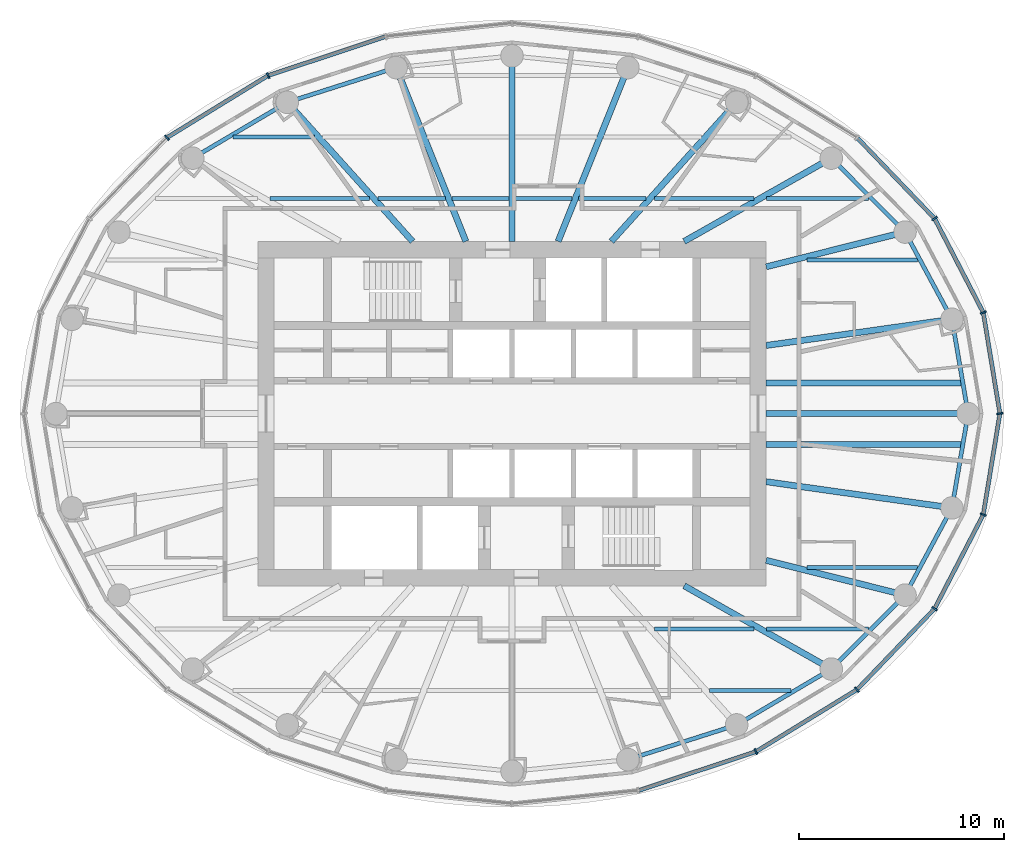
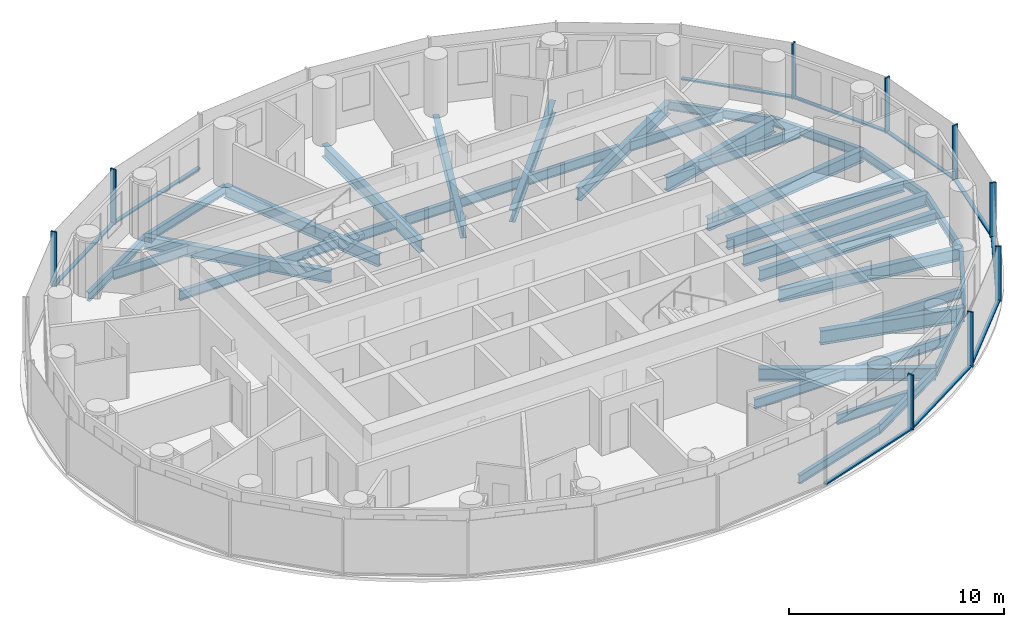
# One storey, part 3 of 13: 37 beams, 19 members, 3 elements without a shape of their own.
"""IFC4 building model written with IfcOpenShell, lengths in metres."""

from ifc_helpers import new_model, si_unit, direction, frame, origin, origin_2d, place, context, subcontext, project, spatial, rectangle, i_section, extrude, material, material_profile, profile_set, type_object, element, aggregate, save


model = new_model("IFC4")

# Units and contexts
model_context = context("Model", 3, precision=1e-05, world=origin(), true_north=direction((0.0, 1.0)))
body_context = subcontext(model_context, "Body", "Model", "MODEL_VIEW")
ifc_project = project(units=[si_unit("LENGTHUNIT", "METRE"), si_unit("AREAUNIT", "SQUARE_METRE"), si_unit("VOLUMEUNIT", "CUBIC_METRE"), si_unit("PLANEANGLEUNIT", "RADIAN"), si_unit("MASSUNIT", "GRAM", prefix="KILO")], contexts=[model_context])

# Site, building, storey
site_placement = place(None, origin())
site = spatial("IfcSite", under=ifc_project, at=site_placement, CompositionType="ELEMENT")
building_placement = place(site_placement, origin())
building = spatial("IfcBuilding", under=site, at=building_placement, Name="Hankou Lantern Tower", CompositionType="ELEMENT")
storey_placement = place(building_placement, frame((0.0, 0.0, 159.89990234375)))
storey = spatial("IfcBuildingStorey", under=building, at=storey_placement, Name="L42", CompositionType="ELEMENT", Elevation=159.89990234375)

# Beams
ifc_material_1 = material(Name="Steel Q355B", Category="steel")
ifc_material_profile_1 = material_profile(ifc_material_1, i_section(OverallWidth=0.199951171875, OverallDepth=0.5, WebThickness=0.010009765625, FlangeThickness=0.01611328125, FilletRadius=0.012939453125, at=origin_2d()), Name="HN500x200x10x16")
ifc_profile_set_1 = profile_set([ifc_material_profile_1], Name="Steel Q355B")
beam_type_1 = type_object("IfcBeamType", Name="EB5 RING BEAM HN500x200x10x16", PredefinedType="SPANDREL", material=ifc_profile_set_1)
beam_1_placement = place(storey_placement, frame((22.25, 0.0, -0.429931640625), z_axis=(-0.168680718946, 0.985670743735, 0.0), x_axis=(-0.985670743735, -0.168680718946, 0.0)))
element("IfcBeam", 1, at=beam_1_placement, inside=storey, type_object=beam_type_1, Name="Ring beam R01-R02 L42", PredefinedType="SPANDREL", context=body_context, shape_type="SweptSolid", body=[
    extrude(i_section(OverallWidth=0.199951171875, OverallDepth=0.5, WebThickness=0.010009765625, FlangeThickness=0.01611328125, FilletRadius=0.012939453125, at=origin_2d()), origin(), (0.0, 0.0, 1.0), 4.667724609375),
])
beam_2_placement = place(storey_placement, frame((21.462646484375, 4.600830078125, -0.429931640625), z_axis=(-0.474051612334, 0.880497057828, 0.0), x_axis=(-0.880497057828, -0.474051612334, 0.0)))
element("IfcBeam", 2, at=beam_2_placement, inside=storey, type_object=beam_type_1, Name="Ring beam R02-R03 L42", PredefinedType="SPANDREL", context=body_context, shape_type="SweptSolid", body=[
    extrude(i_section(OverallWidth=0.199951171875, OverallDepth=0.5, WebThickness=0.010009765625, FlangeThickness=0.01611328125, FilletRadius=0.012939453125, at=origin_2d()), origin(), (0.0, 0.0, 1.0), 4.831787109375),
])
beam_3_placement = place(storey_placement, frame((19.172119140625, 8.855224609375, -0.429931640625), z_axis=(-0.706147278092, 0.708064984054, 0.0), x_axis=(-0.708064984054, -0.706147278092, 0.0)))
element("IfcBeam", 3, at=beam_3_placement, inside=storey, type_object=beam_type_1, Name="Ring beam R03-R04 L42", PredefinedType="SPANDREL", context=body_context, shape_type="SweptSolid", body=[
    extrude(i_section(OverallWidth=0.199951171875, OverallDepth=0.5, WebThickness=0.010009765625, FlangeThickness=0.01611328125, FilletRadius=0.012939453125, at=origin_2d()), origin(), (0.0, 0.0, 1.0), 5.09228515625),
])
beam_4_placement = place(storey_placement, frame((-5.65283203125, 16.87744140625, -0.429931640625), z_axis=(-0.952790404271, -0.30362879562, 0.0), x_axis=(0.30362879562, -0.952790404271, 0.0)))
element("IfcBeam", 4, at=beam_4_placement, inside=storey, type_object=beam_type_1, Name="Ring beam R08-R09 L42", PredefinedType="SPANDREL", context=body_context, shape_type="SweptSolid", body=[
    extrude(i_section(OverallWidth=0.199951171875, OverallDepth=0.5, WebThickness=0.010009765625, FlangeThickness=0.01611328125, FilletRadius=0.012939453125, at=origin_2d()), origin(), (0.0, 0.0, 1.0), 5.56982421875),
])
beam_5_placement = place(storey_placement, frame((-10.959716796875, 15.186279296875, -0.429931640625), z_axis=(-0.861135888339, -0.508374843806, 0.0), x_axis=(0.508374843806, -0.861135888339, 0.0)))
element("IfcBeam", 5, at=beam_5_placement, inside=storey, type_object=beam_type_1, Name="Ring beam R09-R10 L42", PredefinedType="SPANDREL", context=body_context, shape_type="SweptSolid", body=[
    extrude(i_section(OverallWidth=0.199951171875, OverallDepth=0.5, WebThickness=0.010009765625, FlangeThickness=0.01611328125, FilletRadius=0.012939453125, at=origin_2d()), origin(), (0.0, 0.0, 1.0), 5.36083984375),
])
beam_6_placement = place(storey_placement, frame((5.65283203125, -16.87744140625, -0.429931640625), z_axis=(0.952790404271, 0.30362879562, 0.0), x_axis=(-0.30362879562, 0.952790404271, 0.0)))
element("IfcBeam", 6, at=beam_6_placement, inside=storey, type_object=beam_type_1, Name="Ring beam R20-R21 L42", PredefinedType="SPANDREL", context=body_context, shape_type="SweptSolid", body=[
    extrude(i_section(OverallWidth=0.199951171875, OverallDepth=0.5, WebThickness=0.010009765625, FlangeThickness=0.01611328125, FilletRadius=0.012939453125, at=origin_2d()), origin(), (0.0, 0.0, 1.0), 5.56982421875),
])
beam_7_placement = place(storey_placement, frame((10.959716796875, -15.186279296875, -0.429931640625), z_axis=(0.861135888339, 0.508374843806, 0.0), x_axis=(-0.508374843806, 0.861135888339, 0.0)))
element("IfcBeam", 7, at=beam_7_placement, inside=storey, type_object=beam_type_1, Name="Ring beam R21-R22 L42", PredefinedType="SPANDREL", context=body_context, shape_type="SweptSolid", body=[
    extrude(i_section(OverallWidth=0.199951171875, OverallDepth=0.5, WebThickness=0.010009765625, FlangeThickness=0.01611328125, FilletRadius=0.012939453125, at=origin_2d()), origin(), (0.0, 0.0, 1.0), 5.36083984375),
])
beam_8_placement = place(storey_placement, frame((15.576171875, -12.4609375, -0.429931640625), z_axis=(0.706147278092, 0.708064984054, 0.0), x_axis=(-0.708064984054, 0.706147278092, 0.0)))
element("IfcBeam", 8, at=beam_8_placement, inside=storey, type_object=beam_type_1, Name="Ring beam R22-R23 L42", PredefinedType="SPANDREL", context=body_context, shape_type="SweptSolid", body=[
    extrude(i_section(OverallWidth=0.199951171875, OverallDepth=0.5, WebThickness=0.010009765625, FlangeThickness=0.01611328125, FilletRadius=0.012939453125, at=origin_2d()), origin(), (0.0, 0.0, 1.0), 5.09228515625),
])
beam_9_placement = place(storey_placement, frame((19.172119140625, -8.855224609375, -0.429931640625), z_axis=(0.474051612334, 0.880497057828, 0.0), x_axis=(-0.880497057828, 0.474051612334, 0.0)))
element("IfcBeam", 9, at=beam_9_placement, inside=storey, type_object=beam_type_1, Name="Ring beam R23-R24 L42", PredefinedType="SPANDREL", context=body_context, shape_type="SweptSolid", body=[
    extrude(i_section(OverallWidth=0.199951171875, OverallDepth=0.5, WebThickness=0.010009765625, FlangeThickness=0.01611328125, FilletRadius=0.012939453125, at=origin_2d()), origin(), (0.0, 0.0, 1.0), 4.831787109375),
])
beam_10_placement = place(storey_placement, frame((21.462646484375, -4.600830078125, -0.429931640625), z_axis=(0.168680718946, 0.985670743735, 0.0), x_axis=(-0.985670743735, 0.168680718946, 0.0)))
element("IfcBeam", 10, at=beam_10_placement, inside=storey, type_object=beam_type_1, Name="Ring beam R24-R01 L42", PredefinedType="SPANDREL", context=body_context, shape_type="SweptSolid", body=[
    extrude(i_section(OverallWidth=0.199951171875, OverallDepth=0.5, WebThickness=0.010009765625, FlangeThickness=0.01611328125, FilletRadius=0.012939453125, at=origin_2d()), origin(), (0.0, 0.0, 1.0), 4.667724609375),
])

# Curtain wall, members
ifc_material_2 = material(Name="Glass, dark grey tinted laminated", Category="glass")
curtain_wall_type = type_object("IfcCurtainWallType", Name="CWC OUTER SKIN HIGH-RISE", PredefinedType="USERDEFINED", material=ifc_material_2)
curtain_wall_1_placement = place(storey_placement, origin())
curtain_wall_1 = element("IfcCurtainWall", 11, at=curtain_wall_1_placement, inside=storey, type_object=curtain_wall_type, Name="CWC L42 OS1", ObjectType="OUTER SKIN HIGH-RISE", PredefinedType="USERDEFINED")
ifc_material_3 = material(Name="Aluminium, black anodised", Category="aluminium")
ifc_material_profile_2 = material_profile(ifc_material_3, rectangle(XDim=0.080078125, YDim=0.300048828125, at=origin_2d()), Name="MU1 80X300")
ifc_profile_set_2 = profile_set([ifc_material_profile_2], Name="Aluminium, black anodised")
member_type_1 = type_object("IfcMemberType", Name="MU1 OUTER SKIN MULLION 80X300", PredefinedType="MULLION", material=ifc_profile_set_2)
member_1_placement = place(storey_placement, frame((23.800048828125, 0.0, 0.0), z_axis=(0.0, 0.0, 1.0), x_axis=(-0.162381515188, 0.986728049427, 0.0)))
member_1 = element("IfcMember", 12, at=member_1_placement, type_object=member_type_1, Name="CWC mullion 1", PredefinedType="MULLION", context=body_context, shape_type="SweptSolid", body=[
    extrude(rectangle(XDim=0.080078125, YDim=0.300048828125, at=origin_2d()), origin(), (0.0, 0.0, 1.0), 3.1201171875),
])
member_2_placement = place(storey_placement, frame((22.989013671875, 4.927978515625, 0.0), z_axis=(0.0, 0.0, 1.0), x_axis=(-0.317595577365, 0.94822626479, 0.0)))
member_2 = element("IfcMember", 13, at=member_2_placement, type_object=member_type_1, Name="CWC mullion 2", PredefinedType="MULLION", context=body_context, shape_type="SweptSolid", body=[
    extrude(rectangle(XDim=0.080078125, YDim=0.300048828125, at=origin_2d()), origin(), (0.0, 0.0, 1.0), 3.1201171875),
])
member_3_placement = place(storey_placement, frame((20.611328125, 9.52001953125, 0.0), z_axis=(0.0, 0.0, 1.0), x_axis=(-0.585205735974, 0.810884854084, 0.0)))
member_3 = element("IfcMember", 14, at=member_3_placement, type_object=member_type_1, Name="CWC mullion 3", PredefinedType="MULLION", context=body_context, shape_type="SweptSolid", body=[
    extrude(rectangle(XDim=0.080078125, YDim=0.300048828125, at=origin_2d()), origin(), (0.0, 0.0, 1.0), 3.1201171875),
])

curtain_wall_2_placement = place(storey_placement, origin())
curtain_wall_2 = element("IfcCurtainWall", 15, at=curtain_wall_2_placement, inside=storey, type_object=curtain_wall_type, Name="CWC L42 OS2", ObjectType="OUTER SKIN HIGH-RISE", PredefinedType="USERDEFINED")
member_4_placement = place(storey_placement, frame((-11.89990234375, 16.489013671875, 0.0), z_axis=(0.0, 0.0, 1.0), x_axis=(-0.907841299004, -0.419313934686, 0.0)))
member_4 = element("IfcMember", 16, at=member_4_placement, type_object=member_type_1, Name="CWC mullion 3", PredefinedType="MULLION", context=body_context, shape_type="SweptSolid", body=[
    extrude(rectangle(XDim=0.080078125, YDim=0.300048828125, at=origin_2d()), origin(), (0.0, 0.0, 1.0), 3.1201171875),
])
member_5_placement = place(storey_placement, frame((-16.8291015625, 13.46337890625, 0.0), z_axis=(0.0, 0.0, 1.0), x_axis=(-0.780868809444, -0.624695047553, 0.0)))
member_5 = element("IfcMember", 17, at=member_5_placement, type_object=member_type_1, Name="CWC mullion 4", PredefinedType="MULLION", context=body_context, shape_type="SweptSolid", body=[
    extrude(rectangle(XDim=0.080078125, YDim=0.300048828125, at=origin_2d()), origin(), (0.0, 0.0, 1.0), 3.1201171875),
])

curtain_wall_3_placement = place(storey_placement, origin())
curtain_wall_3 = element("IfcCurtainWall", 18, at=curtain_wall_3_placement, inside=storey, type_object=curtain_wall_type, Name="CWC L42 OS4", ObjectType="OUTER SKIN HIGH-RISE", PredefinedType="USERDEFINED")
member_6_placement = place(storey_placement, frame((11.89990234375, -16.489013671875, 0.0), z_axis=(0.0, 0.0, 1.0), x_axis=(0.907841299004, 0.419313934686, 0.0)))
member_6 = element("IfcMember", 19, at=member_6_placement, type_object=member_type_1, Name="CWC mullion 3", PredefinedType="MULLION", context=body_context, shape_type="SweptSolid", body=[
    extrude(rectangle(XDim=0.080078125, YDim=0.300048828125, at=origin_2d()), origin(), (0.0, 0.0, 1.0), 3.1201171875),
])
member_7_placement = place(storey_placement, frame((16.8291015625, -13.46337890625, 0.0), z_axis=(0.0, 0.0, 1.0), x_axis=(0.780868809444, 0.624695047553, 0.0)))
member_7 = element("IfcMember", 20, at=member_7_placement, type_object=member_type_1, Name="CWC mullion 4", PredefinedType="MULLION", context=body_context, shape_type="SweptSolid", body=[
    extrude(rectangle(XDim=0.080078125, YDim=0.300048828125, at=origin_2d()), origin(), (0.0, 0.0, 1.0), 3.1201171875),
])
member_8_placement = place(storey_placement, frame((20.611328125, -9.52001953125, 0.0), z_axis=(0.0, 0.0, 1.0), x_axis=(0.585205735974, 0.810884854084, 0.0)))
member_8 = element("IfcMember", 21, at=member_8_placement, type_object=member_type_1, Name="CWC mullion 5", PredefinedType="MULLION", context=body_context, shape_type="SweptSolid", body=[
    extrude(rectangle(XDim=0.080078125, YDim=0.300048828125, at=origin_2d()), origin(), (0.0, 0.0, 1.0), 3.1201171875),
])
member_9_placement = place(storey_placement, frame((22.989013671875, -4.927978515625, 0.0), z_axis=(0.0, 0.0, 1.0), x_axis=(0.317595577365, 0.94822626479, 0.0)))
member_9 = element("IfcMember", 22, at=member_9_placement, type_object=member_type_1, Name="CWC mullion 6", PredefinedType="MULLION", context=body_context, shape_type="SweptSolid", body=[
    extrude(rectangle(XDim=0.080078125, YDim=0.300048828125, at=origin_2d()), origin(), (0.0, 0.0, 1.0), 3.1201171875),
])

# Beams
ifc_material_4 = material(Name="Steel Q355B", Category="steel")
ifc_material_profile_3 = material_profile(ifc_material_4, i_section(OverallWidth=0.300048828125, OverallDepth=0.800048828125, WebThickness=0.013916015625, FlangeThickness=0.02587890625, FilletRadius=0.01806640625, at=origin_2d()), Name="HN800x300x14x26")
ifc_profile_set_3 = profile_set([ifc_material_profile_3], Name="Steel Q355B")
beam_type_2 = type_object("IfcBeamType", Name="RB11 RADIAL BEAM HN800x300x14x26", PredefinedType="BEAM", material=ifc_profile_set_3)
for number, where, z_axis, x_axis, name in (
    (23, (12.39990234375, 7.1591796875, -0.579833984375), (0.970041619568, 0.242938791274, 0.0), (-0.242938791274, 0.970041619568, 0.0), "Radial beam R03 L42"),
    (24, (12.39990234375, -7.1591796875, -0.579833984375), (0.970041619568, -0.242938791274, 0.0), (0.242938791274, 0.970041619568, 0.0), "Radial beam R23 L42"),
):
    element("IfcBeam", number, at=place(storey_placement, frame(where, z_axis=z_axis, x_axis=x_axis)), inside=storey, type_object=beam_type_2, Name=name, PredefinedType="BEAM", context=body_context, shape_type="SweptSolid", body=[
        extrude(i_section(OverallWidth=0.300048828125, OverallDepth=0.800048828125, WebThickness=0.013916015625, FlangeThickness=0.02587890625, FilletRadius=0.01806640625, at=origin_2d()), origin(), (0.0, 0.0, 1.0), 6.9814453125),
    ])
ifc_material_5 = material(Name="Steel Q355B", Category="steel")
ifc_material_profile_4 = material_profile(ifc_material_5, i_section(OverallWidth=0.300048828125, OverallDepth=0.699951171875, WebThickness=0.012939453125, FlangeThickness=0.02392578125, FilletRadius=0.01806640625, at=origin_2d()), Name="HN700x300x13x24")
ifc_profile_set_4 = profile_set([ifc_material_profile_4], Name="Steel Q355B")
beam_type_3 = type_object("IfcBeamType", Name="RB9 RADIAL BEAM HN700x300x13x24", PredefinedType="BEAM", material=ifc_profile_set_4)
beam_11_placement = place(storey_placement, frame((12.39990234375, 0.0, -0.52978515625), z_axis=(1.0, 0.0, 0.0), x_axis=(0.0, 1.0, 0.0)))
element("IfcBeam", 25, at=beam_11_placement, inside=storey, type_object=beam_type_3, Name="Radial beam R01 L42", PredefinedType="BEAM", context=body_context, shape_type="SweptSolid", body=[
    extrude(i_section(OverallWidth=0.300048828125, OverallDepth=0.699951171875, WebThickness=0.012939453125, FlangeThickness=0.02392578125, FilletRadius=0.01806640625, at=origin_2d()), origin(), (0.0, 0.0, 1.0), 9.85009765625),
])
beam_12_placement = place(storey_placement, frame((12.39990234375, 3.322509765625, -0.52978515625), z_axis=(0.990198154617, 0.13966966239, 0.0), x_axis=(-0.13966966239, 0.990198154617, 0.0)))
element("IfcBeam", 26, at=beam_12_placement, inside=storey, type_object=beam_type_3, Name="Radial beam R02 L42", PredefinedType="BEAM", context=body_context, shape_type="SweptSolid", body=[
    extrude(i_section(OverallWidth=0.300048828125, OverallDepth=0.699951171875, WebThickness=0.012939453125, FlangeThickness=0.02392578125, FilletRadius=0.01806640625, at=origin_2d()), origin(), (0.0, 0.0, 1.0), 9.15234375),
])
beam_13_placement = place(storey_placement, frame((8.39990234375, 8.39990234375, -0.52978515625), z_axis=(0.870309058024, 0.492505983234, 0.0), x_axis=(-0.492505983234, 0.870309058024, 0.0)))
element("IfcBeam", 27, at=beam_13_placement, inside=storey, type_object=beam_type_3, Name="Radial beam R04 L42", PredefinedType="BEAM", context=body_context, shape_type="SweptSolid", body=[
    extrude(i_section(OverallWidth=0.300048828125, OverallDepth=0.699951171875, WebThickness=0.012939453125, FlangeThickness=0.02392578125, FilletRadius=0.01806640625, at=origin_2d()), origin(), (0.0, 0.0, 1.0), 8.24560546875),
])
beam_14_placement = place(storey_placement, frame((4.849853515625, 8.39990234375, -0.52978515625), z_axis=(0.669093231314, 0.743178476418, 0.0), x_axis=(-0.743178476418, 0.669093231314, 0.0)))
element("IfcBeam", 28, at=beam_14_placement, inside=storey, type_object=beam_type_3, Name="Radial beam R05 L42", PredefinedType="BEAM", context=body_context, shape_type="SweptSolid", body=[
    extrude(i_section(OverallWidth=0.300048828125, OverallDepth=0.699951171875, WebThickness=0.012939453125, FlangeThickness=0.02392578125, FilletRadius=0.01806640625, at=origin_2d()), origin(), (0.0, 0.0, 1.0), 9.131591796875),
])
beam_15_placement = place(storey_placement, frame((2.250732421875, 8.39990234375, -0.52978515625), z_axis=(0.372436468133, 0.928057690666, 0.0), x_axis=(-0.928057690666, 0.372436468133, 0.0)))
element("IfcBeam", 29, at=beam_15_placement, inside=storey, type_object=beam_type_3, Name="Radial beam R06 L42", PredefinedType="BEAM", context=body_context, shape_type="SweptSolid", body=[
    extrude(i_section(OverallWidth=0.300048828125, OverallDepth=0.699951171875, WebThickness=0.012939453125, FlangeThickness=0.02392578125, FilletRadius=0.01806640625, at=origin_2d()), origin(), (0.0, 0.0, 1.0), 9.134765625),
])
beam_16_placement = place(storey_placement, frame((0.0, 8.39990234375, -0.52978515625), z_axis=(0.0, 1.0, 0.0), x_axis=(-1.0, 0.0, 0.0)))
element("IfcBeam", 30, at=beam_16_placement, inside=storey, type_object=beam_type_3, Name="Radial beam R07 L42", PredefinedType="BEAM", context=body_context, shape_type="SweptSolid", body=[
    extrude(i_section(OverallWidth=0.300048828125, OverallDepth=0.699951171875, WebThickness=0.012939453125, FlangeThickness=0.02392578125, FilletRadius=0.01806640625, at=origin_2d()), origin(), (0.0, 0.0, 1.0), 9.050048828125),
])
beam_17_placement = place(storey_placement, frame((-2.250732421875, 8.39990234375, -0.52978515625), z_axis=(-0.372436468133, 0.928057690666, 0.0), x_axis=(-0.928057690666, -0.372436468133, 0.0)))
element("IfcBeam", 31, at=beam_17_placement, inside=storey, type_object=beam_type_3, Name="Radial beam R08 L42", PredefinedType="BEAM", context=body_context, shape_type="SweptSolid", body=[
    extrude(i_section(OverallWidth=0.300048828125, OverallDepth=0.699951171875, WebThickness=0.012939453125, FlangeThickness=0.02392578125, FilletRadius=0.01806640625, at=origin_2d()), origin(), (0.0, 0.0, 1.0), 9.134765625),
])
beam_18_placement = place(storey_placement, frame((-4.849853515625, 8.39990234375, -0.52978515625), z_axis=(-0.669093231314, 0.743178476418, 0.0), x_axis=(-0.743178476418, -0.669093231314, 0.0)))
element("IfcBeam", 32, at=beam_18_placement, inside=storey, type_object=beam_type_3, Name="Radial beam R09 L42", PredefinedType="BEAM", context=body_context, shape_type="SweptSolid", body=[
    extrude(i_section(OverallWidth=0.300048828125, OverallDepth=0.699951171875, WebThickness=0.012939453125, FlangeThickness=0.02392578125, FilletRadius=0.01806640625, at=origin_2d()), origin(), (0.0, 0.0, 1.0), 9.131591796875),
])
beam_19_placement = place(storey_placement, frame((8.39990234375, -8.39990234375, -0.52978515625), z_axis=(0.870309058024, -0.492505983234, 0.0), x_axis=(0.492505983234, 0.870309058024, 0.0)))
element("IfcBeam", 33, at=beam_19_placement, inside=storey, type_object=beam_type_3, Name="Radial beam R22 L42", PredefinedType="BEAM", context=body_context, shape_type="SweptSolid", body=[
    extrude(i_section(OverallWidth=0.300048828125, OverallDepth=0.699951171875, WebThickness=0.012939453125, FlangeThickness=0.02392578125, FilletRadius=0.01806640625, at=origin_2d()), origin(), (0.0, 0.0, 1.0), 8.24560546875),
])
beam_20_placement = place(storey_placement, frame((12.39990234375, -3.322509765625, -0.52978515625), z_axis=(0.990198154617, -0.13966966239, 0.0), x_axis=(0.13966966239, 0.990198154617, 0.0)))
element("IfcBeam", 34, at=beam_20_placement, inside=storey, type_object=beam_type_3, Name="Radial beam R24 L42", PredefinedType="BEAM", context=body_context, shape_type="SweptSolid", body=[
    extrude(i_section(OverallWidth=0.300048828125, OverallDepth=0.699951171875, WebThickness=0.012939453125, FlangeThickness=0.02392578125, FilletRadius=0.01806640625, at=origin_2d()), origin(), (0.0, 0.0, 1.0), 9.15234375),
])
ifc_material_6 = material(Name="Steel Q355B", Category="steel")
ifc_material_profile_5 = material_profile(ifc_material_6, i_section(OverallWidth=0.199951171875, OverallDepth=0.550048828125, WebThickness=0.010009765625, FlangeThickness=0.01611328125, FilletRadius=0.012939453125, at=origin_2d()), Name="HN550x200x10x16")
ifc_profile_set_5 = profile_set([ifc_material_profile_5], Name="Steel Q355B")
beam_type_4 = type_object("IfcBeamType", Name="SB6 SECONDARY BEAM HN550x200x10x16", PredefinedType="JOIST", material=ifc_profile_set_5)
beam_21_placement = place(storey_placement, frame((9.643310546875, -13.5, -0.454833984375), z_axis=(1.0, 0.0, 0.0), x_axis=(0.0, 1.0, 0.0)))
element("IfcBeam", 35, at=beam_21_placement, inside=storey, type_object=beam_type_4, Name="Floor joist J006 L42", PredefinedType="JOIST", context=body_context, shape_type="SweptSolid", body=[
    extrude(i_section(OverallWidth=0.199951171875, OverallDepth=0.550048828125, WebThickness=0.010009765625, FlangeThickness=0.01611328125, FilletRadius=0.012939453125, at=origin_2d()), origin(), (0.0, 0.0, 1.0), 3.97607421875),
])
beam_22_placement = place(storey_placement, frame((6.9423828125, -10.5, -0.454833984375), z_axis=(1.0, 0.0, 0.0), x_axis=(0.0, 1.0, 0.0)))
element("IfcBeam", 36, at=beam_22_placement, inside=storey, type_object=beam_type_4, Name="Floor joist J013 L42", PredefinedType="JOIST", context=body_context, shape_type="SweptSolid", body=[
    extrude(i_section(OverallWidth=0.199951171875, OverallDepth=0.550048828125, WebThickness=0.010009765625, FlangeThickness=0.01611328125, FilletRadius=0.012939453125, at=origin_2d()), origin(), (0.0, 0.0, 1.0), 4.864013671875),
])
beam_23_placement = place(storey_placement, frame((12.41552734375, -10.5, -0.454833984375), z_axis=(1.0, 0.0, 0.0), x_axis=(0.0, 1.0, 0.0)))
element("IfcBeam", 37, at=beam_23_placement, inside=storey, type_object=beam_type_4, Name="Floor joist J014 L42", PredefinedType="JOIST", context=body_context, shape_type="SweptSolid", body=[
    extrude(i_section(OverallWidth=0.199951171875, OverallDepth=0.550048828125, WebThickness=0.010009765625, FlangeThickness=0.01611328125, FilletRadius=0.012939453125, at=origin_2d()), origin(), (0.0, 0.0, 1.0), 4.97509765625),
])
for number, where, z_axis, x_axis, name in (
    (38, (14.37841796875, -7.5, -0.454833984375), (1.0, 0.0, 0.0), (0.0, 1.0, 0.0), "Floor joist J016 L42"),
    (39, (14.37841796875, 7.5, -0.454833984375), (1.0, 0.0, 0.0), (0.0, 1.0, 0.0), "Floor joist J026 L42"),
):
    element("IfcBeam", number, at=place(storey_placement, frame(where, z_axis=z_axis, x_axis=x_axis)), inside=storey, type_object=beam_type_4, Name=name, PredefinedType="JOIST", context=body_context, shape_type="SweptSolid", body=[
        extrude(i_section(OverallWidth=0.199951171875, OverallDepth=0.550048828125, WebThickness=0.010009765625, FlangeThickness=0.01611328125, FilletRadius=0.012939453125, at=origin_2d()), origin(), (0.0, 0.0, 1.0), 5.409912109375),
    ])
beam_24_placement = place(storey_placement, frame((-11.806396484375, 10.5, -0.454833984375), z_axis=(1.0, 0.0, 0.0), x_axis=(0.0, 1.0, 0.0)))
element("IfcBeam", 40, at=beam_24_placement, inside=storey, type_object=beam_type_4, Name="Floor joist J028 L42", PredefinedType="JOIST", context=body_context, shape_type="SweptSolid", body=[
    extrude(i_section(OverallWidth=0.199951171875, OverallDepth=0.550048828125, WebThickness=0.010009765625, FlangeThickness=0.01611328125, FilletRadius=0.012939453125, at=origin_2d()), origin(), (0.0, 0.0, 1.0), 4.864013671875),
])
beam_25_placement = place(storey_placement, frame((-6.53857421875, 10.5, -0.454833984375), z_axis=(1.0, 0.0, 0.0), x_axis=(0.0, 1.0, 0.0)))
element("IfcBeam", 41, at=beam_25_placement, inside=storey, type_object=beam_type_4, Name="Floor joist J029 L42", PredefinedType="JOIST", context=body_context, shape_type="SweptSolid", body=[
    extrude(i_section(OverallWidth=0.199951171875, OverallDepth=0.550048828125, WebThickness=0.010009765625, FlangeThickness=0.01611328125, FilletRadius=0.012939453125, at=origin_2d()), origin(), (0.0, 0.0, 1.0), 3.283447265625),
])
for number, where, z_axis, x_axis, name in (
    (42, (-2.931884765625, 10.5, -0.454833984375), (1.0, 0.0, 0.0), (0.0, 1.0, 0.0), "Floor joist J030 L42"),
    (43, (0.14990234375, 10.5, -0.454833984375), (1.0, 0.0, 0.0), (0.0, 1.0, 0.0), "Floor joist J031 L42"),
):
    element("IfcBeam", number, at=place(storey_placement, frame(where, z_axis=z_axis, x_axis=x_axis)), inside=storey, type_object=beam_type_4, Name=name, PredefinedType="JOIST", context=body_context, shape_type="SweptSolid", body=[
        extrude(i_section(OverallWidth=0.199951171875, OverallDepth=0.550048828125, WebThickness=0.010009765625, FlangeThickness=0.01611328125, FilletRadius=0.012939453125, at=origin_2d()), origin(), (0.0, 0.0, 1.0), 2.781982421875),
    ])
beam_26_placement = place(storey_placement, frame((3.255126953125, 10.5, -0.454833984375), z_axis=(1.0, 0.0, 0.0), x_axis=(0.0, 1.0, 0.0)))
element("IfcBeam", 44, at=beam_26_placement, inside=storey, type_object=beam_type_4, Name="Floor joist J032 L42", PredefinedType="JOIST", context=body_context, shape_type="SweptSolid", body=[
    extrude(i_section(OverallWidth=0.199951171875, OverallDepth=0.550048828125, WebThickness=0.010009765625, FlangeThickness=0.01611328125, FilletRadius=0.012939453125, at=origin_2d()), origin(), (0.0, 0.0, 1.0), 3.283447265625),
])
beam_27_placement = place(storey_placement, frame((6.9423828125, 10.5, -0.454833984375), z_axis=(1.0, 0.0, 0.0), x_axis=(0.0, 1.0, 0.0)))
element("IfcBeam", 45, at=beam_27_placement, inside=storey, type_object=beam_type_4, Name="Floor joist J033 L42", PredefinedType="JOIST", context=body_context, shape_type="SweptSolid", body=[
    extrude(i_section(OverallWidth=0.199951171875, OverallDepth=0.550048828125, WebThickness=0.010009765625, FlangeThickness=0.01611328125, FilletRadius=0.012939453125, at=origin_2d()), origin(), (0.0, 0.0, 1.0), 4.864013671875),
])
beam_28_placement = place(storey_placement, frame((12.41552734375, 10.5, -0.454833984375), z_axis=(1.0, 0.0, 0.0), x_axis=(0.0, 1.0, 0.0)))
element("IfcBeam", 46, at=beam_28_placement, inside=storey, type_object=beam_type_4, Name="Floor joist J034 L42", PredefinedType="JOIST", context=body_context, shape_type="SweptSolid", body=[
    extrude(i_section(OverallWidth=0.199951171875, OverallDepth=0.550048828125, WebThickness=0.010009765625, FlangeThickness=0.01611328125, FilletRadius=0.012939453125, at=origin_2d()), origin(), (0.0, 0.0, 1.0), 4.97509765625),
])
beam_29_placement = place(storey_placement, frame((-13.619384765625, 13.5, -0.454833984375), z_axis=(1.0, 0.0, 0.0), x_axis=(0.0, 1.0, 0.0)))
element("IfcBeam", 47, at=beam_29_placement, inside=storey, type_object=beam_type_4, Name="Floor joist J035 L42", PredefinedType="JOIST", context=body_context, shape_type="SweptSolid", body=[
    extrude(i_section(OverallWidth=0.199951171875, OverallDepth=0.550048828125, WebThickness=0.010009765625, FlangeThickness=0.01611328125, FilletRadius=0.012939453125, at=origin_2d()), origin(), (0.0, 0.0, 1.0), 3.97607421875),
])
ifc_material_7 = material(Name="Steel Q355B", Category="steel")
ifc_material_profile_6 = material_profile(ifc_material_7, i_section(OverallWidth=0.300048828125, OverallDepth=0.64990234375, WebThickness=0.010986328125, FlangeThickness=0.01708984375, FilletRadius=0.01806640625, at=origin_2d()), Name="HN650x300x11x17")
ifc_profile_set_6 = profile_set([ifc_material_profile_6], Name="Steel Q355B")
beam_type_5 = type_object("IfcBeamType", Name="SB8 SECONDARY BEAM HN650x300x11x17", PredefinedType="JOIST", material=ifc_profile_set_6)
for number, where, z_axis, x_axis, name in (
    (48, (12.39990234375, -1.5, -0.5048828125), (1.0, 0.0, 0.0), (0.0, 1.0, 0.0), "Floor joist J020 L42"),
    (49, (12.39990234375, 1.5, -0.5048828125), (1.0, 0.0, 0.0), (0.0, 1.0, 0.0), "Floor joist J022 L42"),
):
    element("IfcBeam", number, at=place(storey_placement, frame(where, z_axis=z_axis, x_axis=x_axis)), inside=storey, type_object=beam_type_5, Name=name, PredefinedType="JOIST", context=body_context, shape_type="SweptSolid", body=[
        extrude(i_section(OverallWidth=0.300048828125, OverallDepth=0.64990234375, WebThickness=0.010986328125, FlangeThickness=0.01708984375, FilletRadius=0.01806640625, at=origin_2d()), origin(), (0.0, 0.0, 1.0), 9.491943359375),
    ])

# Member
ifc_material_8 = material(Name="Aluminium, black anodised", Category="aluminium")
ifc_material_profile_7 = material_profile(ifc_material_8, rectangle(XDim=0.199951171875, YDim=0.080078125, at=origin_2d()), Name="TR1 200X80")
ifc_profile_set_7 = profile_set([ifc_material_profile_7], Name="Aluminium, black anodised")
member_type_2 = type_object("IfcMemberType", Name="TR1 OUTER SKIN TRANSOM 200X80", PredefinedType="USERDEFINED", material=ifc_profile_set_7)
member_10_placement = place(storey_placement, frame((23.79345703125, 0.03955078125, 0.0400390625), z_axis=(-0.162360337061, 0.986731534385, 0.0), x_axis=(-0.986731534385, -0.162360337061, 0.0)))
member_10 = element("IfcMember", 50, at=member_10_placement, type_object=member_type_2, Name="CWC transom 1", ObjectType="TRANSOM", PredefinedType="USERDEFINED", context=body_context, shape_type="SweptSolid", body=[
    extrude(rectangle(XDim=0.199951171875, YDim=0.080078125, at=origin_2d()), origin(), (0.0, 0.0, 1.0), 4.9140625),
])

member_11_placement = place(storey_placement, frame((22.970703125, 4.96337890625, 0.0400390625), z_axis=(-0.459790772977, 0.888027277219, 0.0), x_axis=(-0.888027277219, -0.459790772977, 0.0)))
member_11 = element("IfcMember", 51, at=member_11_placement, type_object=member_type_2, Name="CWC transom 2", ObjectType="TRANSOM", PredefinedType="USERDEFINED", context=body_context, shape_type="SweptSolid", body=[
    extrude(rectangle(XDim=0.199951171875, YDim=0.080078125, at=origin_2d()), origin(), (0.0, 0.0, 1.0), 5.091064453125),
])

member_12_placement = place(storey_placement, frame((20.583740234375, 9.548828125, 0.0400390625), z_axis=(-0.692215543831, 0.721690820836, 0.0), x_axis=(-0.721690820836, -0.692215543831, 0.0)))
member_12 = element("IfcMember", 52, at=member_12_placement, type_object=member_type_2, Name="CWC transom 3", ObjectType="TRANSOM", PredefinedType="USERDEFINED", context=body_context, shape_type="SweptSolid", body=[
    extrude(rectangle(XDim=0.199951171875, YDim=0.080078125, at=origin_2d()), origin(), (0.0, 0.0, 1.0), 5.3837890625),
])

aggregate(curtain_wall_1, [member_1, member_2, member_3, member_10, member_11, member_12])

member_13_placement = place(storey_placement, frame((-6.19775390625, 18.378662109375, 0.0400390625), z_axis=(-0.949242327551, -0.314545709849, 0.0), x_axis=(0.314545709849, -0.949242327551, 0.0)))
member_13 = element("IfcMember", 53, at=member_13_placement, type_object=member_type_2, Name="CWC transom 2", ObjectType="TRANSOM", PredefinedType="USERDEFINED", context=body_context, shape_type="SweptSolid", body=[
    extrude(rectangle(XDim=0.199951171875, YDim=0.080078125, at=origin_2d()), origin(), (0.0, 0.0, 1.0), 5.96728515625),
])

member_14_placement = place(storey_placement, frame((-11.93408203125, 16.46826171875, 0.0400390625), z_axis=(-0.852229482357, -0.523168146394, 0.0), x_axis=(0.523168146394, -0.852229482357, 0.0)))
member_14 = element("IfcMember", 54, at=member_14_placement, type_object=member_type_2, Name="CWC transom 3", ObjectType="TRANSOM", PredefinedType="USERDEFINED", context=body_context, shape_type="SweptSolid", body=[
    extrude(rectangle(XDim=0.199951171875, YDim=0.080078125, at=origin_2d()), origin(), (0.0, 0.0, 1.0), 5.703857421875),
])

aggregate(curtain_wall_2, [member_4, member_5, member_13, member_14])

member_15_placement = place(storey_placement, frame((6.19775390625, -18.378662109375, 0.0400390625), z_axis=(0.949242327551, 0.314545709849, 0.0), x_axis=(-0.314545709849, 0.949242327551, 0.0)))
member_15 = element("IfcMember", 55, at=member_15_placement, type_object=member_type_2, Name="CWC transom 2", ObjectType="TRANSOM", PredefinedType="USERDEFINED", context=body_context, shape_type="SweptSolid", body=[
    extrude(rectangle(XDim=0.199951171875, YDim=0.080078125, at=origin_2d()), origin(), (0.0, 0.0, 1.0), 5.96728515625),
])

member_16_placement = place(storey_placement, frame((11.93408203125, -16.46826171875, 0.0400390625), z_axis=(0.852229482357, 0.523168146394, 0.0), x_axis=(-0.523168146394, 0.852229482357, 0.0)))
member_16 = element("IfcMember", 56, at=member_16_placement, type_object=member_type_2, Name="CWC transom 3", ObjectType="TRANSOM", PredefinedType="USERDEFINED", context=body_context, shape_type="SweptSolid", body=[
    extrude(rectangle(XDim=0.199951171875, YDim=0.080078125, at=origin_2d()), origin(), (0.0, 0.0, 1.0), 5.703857421875),
])

member_17_placement = place(storey_placement, frame((16.85693359375, -13.434326171875, 0.0400390625), z_axis=(0.692215543831, 0.721690820836, 0.0), x_axis=(-0.721690820836, 0.692215543831, 0.0)))
member_17 = element("IfcMember", 57, at=member_17_placement, type_object=member_type_2, Name="CWC transom 4", ObjectType="TRANSOM", PredefinedType="USERDEFINED", context=body_context, shape_type="SweptSolid", body=[
    extrude(rectangle(XDim=0.199951171875, YDim=0.080078125, at=origin_2d()), origin(), (0.0, 0.0, 1.0), 5.3837890625),
])

member_18_placement = place(storey_placement, frame((20.6298828125, -9.484375, 0.0400390625), z_axis=(0.459790772977, 0.888027277219, 0.0), x_axis=(-0.888027277219, 0.459790772977, 0.0)))
member_18 = element("IfcMember", 58, at=member_18_placement, type_object=member_type_2, Name="CWC transom 5", ObjectType="TRANSOM", PredefinedType="USERDEFINED", context=body_context, shape_type="SweptSolid", body=[
    extrude(rectangle(XDim=0.199951171875, YDim=0.080078125, at=origin_2d()), origin(), (0.0, 0.0, 1.0), 5.091064453125),
])

member_19_placement = place(storey_placement, frame((22.99560546875, -4.888427734375, 0.0400390625), z_axis=(0.162360337061, 0.986731534385, 0.0), x_axis=(-0.986731534385, 0.162360337061, 0.0)))
member_19 = element("IfcMember", 59, at=member_19_placement, type_object=member_type_2, Name="CWC transom 6", ObjectType="TRANSOM", PredefinedType="USERDEFINED", context=body_context, shape_type="SweptSolid", body=[
    extrude(rectangle(XDim=0.199951171875, YDim=0.080078125, at=origin_2d()), origin(), (0.0, 0.0, 1.0), 4.9140625),
])

aggregate(curtain_wall_3, [member_6, member_7, member_8, member_9, member_15, member_16, member_17, member_18, member_19])

save(model, "model.ifc")
